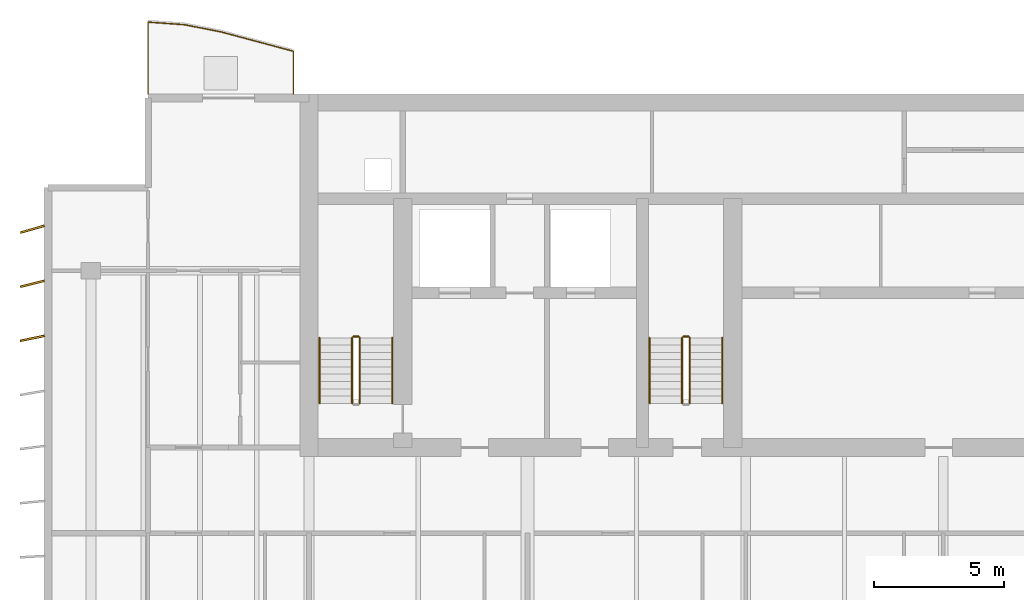
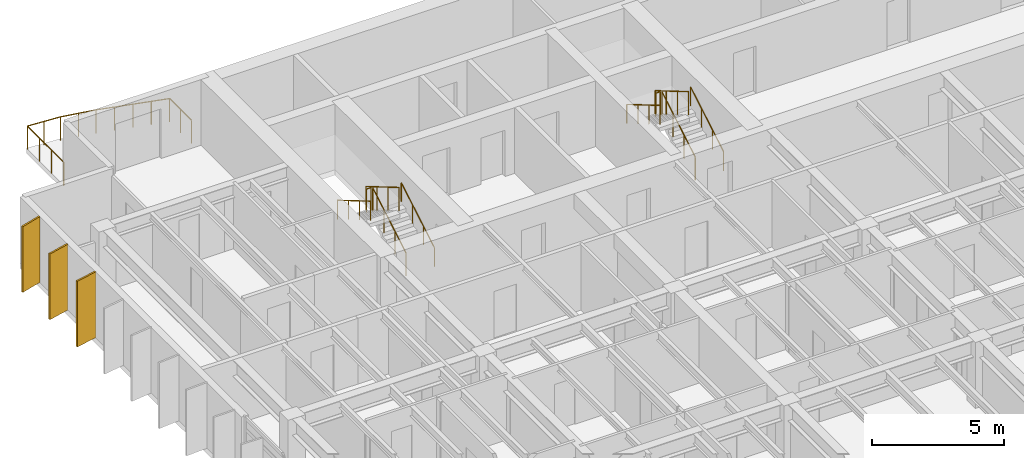
# One storey, part 16 of 17: 11 railings, 3 shading devices.
"""IFC4 building model written with IfcOpenShell, lengths in metres."""

from ifc_helpers import new_model, si_unit, direction, frame, origin, origin_2d, place, context, subcontext, project, spatial, rectangle, circle, extrude, material, material_profile, profile_set, type_object, element, save


model = new_model("IFC4")

# Units and contexts
model_context = context("Model", 3, precision=1e-05, world=origin(), true_north=direction((0.0, 1.0)))
body_context = subcontext(model_context, "Body", "Model", "MODEL_VIEW")
ifc_project = project(units=[si_unit("LENGTHUNIT", "METRE"), si_unit("AREAUNIT", "SQUARE_METRE"), si_unit("VOLUMEUNIT", "CUBIC_METRE"), si_unit("PLANEANGLEUNIT", "RADIAN"), si_unit("MASSUNIT", "GRAM", prefix="KILO")], contexts=[model_context])

# Site, building, storey
site_placement = place(None, origin())
site = spatial("IfcSite", under=ifc_project, at=site_placement, CompositionType="ELEMENT")
building_placement = place(site_placement, origin())
building = spatial("IfcBuilding", under=site, at=building_placement, Name="Caelmar Bay Residences", CompositionType="ELEMENT")
storey_placement = place(building_placement, frame((0.0, 0.0, 246.300048828125)))
storey = spatial("IfcBuildingStorey", under=building, at=storey_placement, Name="L69", CompositionType="ELEMENT", Elevation=246.300048828125)

# Railings
ifc_material_1 = material(Name="Anodised bronze handrail with laminated hurricane glass infill", Category="glass")
railing_type_1 = type_object("IfcRailingType", Name="RL-BAL-1100", PredefinedType="BALUSTRADE", material=ifc_material_1)
railing_1_placement = place(storey_placement, frame((17.699951171875, 50.60009765625, 0.0)))
element("IfcRailing", 1, at=railing_1_placement, inside=storey, type_object=railing_type_1, Name="L69 north_west Balcony Balustrade", PredefinedType="BALUSTRADE", context=body_context, shape_type="SweptSolid", body=[
    extrude(circle(Radius=0.02392578125, at=origin_2d()), frame((0.0, 0.0, 1.076171875), z_axis=(0.0, 1.0, 0.0), x_axis=(-1.0, 0.0, 0.0)), (0.0, 0.0, 1.0), 1.64501953125),
    extrude(circle(Radius=0.02392578125, at=origin_2d()), frame((0.0, 1.64501953125, 1.076171875), z_axis=(-0.965943540406, 0.258752926066, 0.0), x_axis=(-0.258752926066, -0.965943540406, 0.0)), (0.0, 0.0, 1.0), 1.44921875),
    extrude(circle(Radius=0.02392578125, at=origin_2d()), frame((-1.39990234375, 2.02001953125, 1.076171875), z_axis=(-0.965954816498, 0.258710827923, 0.0), x_axis=(-0.258710827923, -0.965954816498, 0.0)), (0.0, 0.0, 1.0), 1.449462890625),
    extrude(circle(Radius=0.02392578125, at=origin_2d()), frame((-2.800048828125, 2.39501953125, 1.076171875), z_axis=(-0.981323886264, 0.192362756917, 0.0), x_axis=(-0.192362756917, -0.981323886264, 0.0)), (0.0, 0.0, 1.0), 1.426513671875),
    extrude(circle(Radius=0.02392578125, at=origin_2d()), frame((-4.199951171875, 2.66943359375, 1.076171875), z_axis=(-0.997428589471, 0.071667348947, 0.0), x_axis=(-0.071667348947, -0.997428589471, 0.0)), (0.0, 0.0, 1.0), 1.403564453125),
    extrude(circle(Radius=0.02392578125, at=origin_2d()), frame((-5.599853515625, 2.77001953125, 1.076171875), z_axis=(0.0, -1.0, 0.0), x_axis=(1.0, 0.0, 0.0)), (0.0, 0.0, 1.0), 2.77001953125),
    extrude(circle(Radius=0.02099609375, at=origin_2d()), origin(), (0.0, 0.0, 1.0), 1.052001953125),
    extrude(circle(Radius=0.02099609375, at=origin_2d()), frame((0.0, 0.822509765625, 0.0)), (0.0, 0.0, 1.0), 1.052001953125),
    extrude(circle(Radius=0.02099609375, at=origin_2d()), frame((0.0, 1.64501953125, 0.0)), (0.0, 0.0, 1.0), 1.052001953125),
    extrude(circle(Radius=0.02099609375, at=origin_2d()), frame((-0.699951171875, 1.83251953125, 0.0)), (0.0, 0.0, 1.0), 1.052001953125),
    extrude(circle(Radius=0.02099609375, at=origin_2d()), frame((-1.39990234375, 2.02001953125, 0.0)), (0.0, 0.0, 1.0), 1.052001953125),
    extrude(circle(Radius=0.02099609375, at=origin_2d()), frame((-2.10009765625, 2.20751953125, 0.0)), (0.0, 0.0, 1.0), 1.052001953125),
    extrude(circle(Radius=0.02099609375, at=origin_2d()), frame((-2.800048828125, 2.39501953125, 0.0)), (0.0, 0.0, 1.0), 1.052001953125),
    extrude(circle(Radius=0.02099609375, at=origin_2d()), frame((-3.5, 2.5322265625, 0.0)), (0.0, 0.0, 1.0), 1.052001953125),
    extrude(circle(Radius=0.02099609375, at=origin_2d()), frame((-4.199951171875, 2.66943359375, 0.0)), (0.0, 0.0, 1.0), 1.052001953125),
    extrude(circle(Radius=0.02099609375, at=origin_2d()), frame((-4.89990234375, 2.7197265625, 0.0)), (0.0, 0.0, 1.0), 1.052001953125),
    extrude(circle(Radius=0.02099609375, at=origin_2d()), frame((-5.599853515625, 2.77001953125, 0.0)), (0.0, 0.0, 1.0), 1.052001953125),
    extrude(circle(Radius=0.02099609375, at=origin_2d()), frame((-5.599853515625, 1.8466796875, 0.0)), (0.0, 0.0, 1.0), 1.052001953125),
    extrude(circle(Radius=0.02099609375, at=origin_2d()), frame((-5.599853515625, 0.92333984375, 0.0)), (0.0, 0.0, 1.0), 1.052001953125),
    extrude(circle(Radius=0.02099609375, at=origin_2d()), frame((-5.599853515625, 0.0, 0.0)), (0.0, 0.0, 1.0), 1.052001953125),
])
ifc_material_2 = material(Name="Painted galvanized steel stair guard 1100 mm", Category="steel")
railing_type_2 = type_object("IfcRailingType", Name="RL-GRD-1100", PredefinedType="GUARDRAIL", material=ifc_material_2)
railing_2_placement = place(storey_placement, frame((20.25, 38.699951171875, 0.1650390625)))
element("IfcRailing", 2, at=railing_2_placement, inside=storey, type_object=railing_type_2, Name="L69 ST1 stair guard 1", PredefinedType="GUARDRAIL", context=body_context, shape_type="SweptSolid", body=[
    extrude(circle(Radius=0.02392578125, at=origin_2d()), frame((0.0, 0.0, 1.076171875), z_axis=(0.0, 0.861560626758, 0.507654692109), x_axis=(-1.0, 0.0, 0.0)), (0.0, 0.0, 1.0), 2.925048828125),
    extrude(circle(Radius=0.02099609375, at=origin_2d()), origin(), (0.0, 0.0, 1.0), 1.052001953125),
    extrude(circle(Radius=0.02099609375, at=origin_2d()), frame((0.0, 0.840087890625, 0.494873046875)), (0.0, 0.0, 1.0), 1.052001953125),
    extrude(circle(Radius=0.02099609375, at=origin_2d()), frame((0.0, 1.679931640625, 0.989990234375)), (0.0, 0.0, 1.0), 1.052001953125),
    extrude(circle(Radius=0.02099609375, at=origin_2d()), frame((0.0, 2.52001953125, 1.48486328125)), (0.0, 0.0, 1.0), 1.052001953125),
])
railing_3_placement = place(storey_placement, frame((20.199951171875, 41.27001953125, 1.64990234375)))
element("IfcRailing", 3, at=railing_3_placement, inside=storey, type_object=railing_type_2, Name="L69 ST1 stair guard 2", PredefinedType="GUARDRAIL", context=body_context, shape_type="SweptSolid", body=[
    extrude(circle(Radius=0.02392578125, at=origin_2d()), frame((0.0, 0.0, 1.076171875), z_axis=(-1.0, 0.0, 0.0), x_axis=(0.0, -1.0, 0.0)), (0.0, 0.0, 1.0), 0.199951171875),
    extrude(circle(Radius=0.02099609375, at=origin_2d()), origin(), (0.0, 0.0, 1.0), 1.052001953125),
    extrude(circle(Radius=0.02099609375, at=origin_2d()), frame((-0.199951171875, 0.0, 0.0)), (0.0, 0.0, 1.0), 1.052001953125),
])
railing_4_placement = place(storey_placement, frame((19.949951171875, 41.219970703125, 1.81494140625)))
element("IfcRailing", 4, at=railing_4_placement, inside=storey, type_object=railing_type_2, Name="L69 ST1 stair guard 3", PredefinedType="GUARDRAIL", context=body_context, shape_type="SweptSolid", body=[
    extrude(circle(Radius=0.02392578125, at=origin_2d()), frame((0.0, 0.0, 1.076171875), z_axis=(0.0, -0.86152411907, 0.507716645641), x_axis=(1.0, 0.0, 0.0)), (0.0, 0.0, 1.0), 2.925048828125),
    extrude(circle(Radius=0.02099609375, at=origin_2d()), origin(), (0.0, 0.0, 1.0), 1.052001953125),
    extrude(circle(Radius=0.02099609375, at=origin_2d()), frame((0.0, -0.840087890625, 0.4951171875)), (0.0, 0.0, 1.0), 1.052001953125),
    extrude(circle(Radius=0.02099609375, at=origin_2d()), frame((0.0, -1.679931640625, 0.989990234375)), (0.0, 0.0, 1.0), 1.052001953125),
    extrude(circle(Radius=0.02099609375, at=origin_2d()), frame((0.0, -2.52001953125, 1.485107421875)), (0.0, 0.0, 1.0), 1.052001953125),
])
railing_5_placement = place(storey_placement, frame((32.949951171875, 38.699951171875, 0.1650390625)))
element("IfcRailing", 5, at=railing_5_placement, inside=storey, type_object=railing_type_2, Name="L69 ST3 stair guard 1", PredefinedType="GUARDRAIL", context=body_context, shape_type="SweptSolid", body=[
    extrude(circle(Radius=0.02392578125, at=origin_2d()), frame((0.0, 0.0, 1.076171875), z_axis=(0.0, 0.861560626758, 0.507654692109), x_axis=(-1.0, 0.0, 0.0)), (0.0, 0.0, 1.0), 2.925048828125),
    extrude(circle(Radius=0.02099609375, at=origin_2d()), origin(), (0.0, 0.0, 1.0), 1.052001953125),
    extrude(circle(Radius=0.02099609375, at=origin_2d()), frame((0.0, 0.840087890625, 0.494873046875)), (0.0, 0.0, 1.0), 1.052001953125),
    extrude(circle(Radius=0.02099609375, at=origin_2d()), frame((0.0, 1.679931640625, 0.989990234375)), (0.0, 0.0, 1.0), 1.052001953125),
    extrude(circle(Radius=0.02099609375, at=origin_2d()), frame((0.0, 2.52001953125, 1.48486328125)), (0.0, 0.0, 1.0), 1.052001953125),
])
railing_6_placement = place(storey_placement, frame((32.89990234375, 41.27001953125, 1.64990234375)))
element("IfcRailing", 6, at=railing_6_placement, inside=storey, type_object=railing_type_2, Name="L69 ST3 stair guard 2", PredefinedType="GUARDRAIL", context=body_context, shape_type="SweptSolid", body=[
    extrude(circle(Radius=0.02392578125, at=origin_2d()), frame((0.0, 0.0, 1.076171875), z_axis=(-1.0, 0.0, 0.0), x_axis=(0.0, -1.0, 0.0)), (0.0, 0.0, 1.0), 0.199951171875),
    extrude(circle(Radius=0.02099609375, at=origin_2d()), origin(), (0.0, 0.0, 1.0), 1.052001953125),
    extrude(circle(Radius=0.02099609375, at=origin_2d()), frame((-0.199951171875, 0.0, 0.0)), (0.0, 0.0, 1.0), 1.052001953125),
])
railing_7_placement = place(storey_placement, frame((32.64990234375, 41.219970703125, 1.81494140625)))
element("IfcRailing", 7, at=railing_7_placement, inside=storey, type_object=railing_type_2, Name="L69 ST3 stair guard 3", PredefinedType="GUARDRAIL", context=body_context, shape_type="SweptSolid", body=[
    extrude(circle(Radius=0.02392578125, at=origin_2d()), frame((0.0, 0.0, 1.076171875), z_axis=(0.0, -0.86152411907, 0.507716645641), x_axis=(1.0, 0.0, 0.0)), (0.0, 0.0, 1.0), 2.925048828125),
    extrude(circle(Radius=0.02099609375, at=origin_2d()), origin(), (0.0, 0.0, 1.0), 1.052001953125),
    extrude(circle(Radius=0.02099609375, at=origin_2d()), frame((0.0, -0.840087890625, 0.4951171875)), (0.0, 0.0, 1.0), 1.052001953125),
    extrude(circle(Radius=0.02099609375, at=origin_2d()), frame((0.0, -1.679931640625, 0.989990234375)), (0.0, 0.0, 1.0), 1.052001953125),
    extrude(circle(Radius=0.02099609375, at=origin_2d()), frame((0.0, -2.52001953125, 1.485107421875)), (0.0, 0.0, 1.0), 1.052001953125),
])
ifc_material_3 = material(Name="Brushed bronze stainless-steel tubular handrail 900 mm", Category="steel")
railing_type_3 = type_object("IfcRailingType", Name="RL-HND-900", PredefinedType="HANDRAIL", material=ifc_material_3)
railing_8_placement = place(storey_placement, frame((21.5, 38.699951171875, 0.1650390625)))
element("IfcRailing", 8, at=railing_8_placement, inside=storey, type_object=railing_type_3, Name="L69 ST1 stair handrail 1", PredefinedType="HANDRAIL", context=body_context, shape_type="SweptSolid", body=[
    extrude(circle(Radius=0.02392578125, at=origin_2d()), frame((0.0, 0.0, 0.8759765625), z_axis=(0.0, 0.861560626758, 0.507654692109), x_axis=(-1.0, 0.0, 0.0)), (0.0, 0.0, 1.0), 2.925048828125),
    extrude(circle(Radius=0.02099609375, at=origin_2d()), origin(), (0.0, 0.0, 1.0), 0.851806640625),
    extrude(circle(Radius=0.02099609375, at=origin_2d()), frame((0.0, 0.840087890625, 0.494873046875)), (0.0, 0.0, 1.0), 0.851806640625),
    extrude(circle(Radius=0.02099609375, at=origin_2d()), frame((0.0, 1.679931640625, 0.989990234375)), (0.0, 0.0, 1.0), 0.851806640625),
    extrude(circle(Radius=0.02099609375, at=origin_2d()), frame((0.0, 2.52001953125, 1.48486328125)), (0.0, 0.0, 1.0), 0.851806640625),
])
railing_9_placement = place(storey_placement, frame((18.699951171875, 41.219970703125, 1.81494140625)))
element("IfcRailing", 9, at=railing_9_placement, inside=storey, type_object=railing_type_3, Name="L69 ST1 stair handrail 2", PredefinedType="HANDRAIL", context=body_context, shape_type="SweptSolid", body=[
    extrude(circle(Radius=0.02392578125, at=origin_2d()), frame((0.0, 0.0, 0.8759765625), z_axis=(0.0, -0.86152411907, 0.507716645641), x_axis=(1.0, 0.0, 0.0)), (0.0, 0.0, 1.0), 2.925048828125),
    extrude(circle(Radius=0.02099609375, at=origin_2d()), origin(), (0.0, 0.0, 1.0), 0.851806640625),
    extrude(circle(Radius=0.02099609375, at=origin_2d()), frame((0.0, -0.840087890625, 0.4951171875)), (0.0, 0.0, 1.0), 0.851806640625),
    extrude(circle(Radius=0.02099609375, at=origin_2d()), frame((0.0, -1.679931640625, 0.989990234375)), (0.0, 0.0, 1.0), 0.851806640625),
    extrude(circle(Radius=0.02099609375, at=origin_2d()), frame((0.0, -2.52001953125, 1.485107421875)), (0.0, 0.0, 1.0), 0.851806640625),
])
railing_10_placement = place(storey_placement, frame((34.199951171875, 38.699951171875, 0.1650390625)))
element("IfcRailing", 10, at=railing_10_placement, inside=storey, type_object=railing_type_3, Name="L69 ST3 stair handrail 1", PredefinedType="HANDRAIL", context=body_context, shape_type="SweptSolid", body=[
    extrude(circle(Radius=0.02392578125, at=origin_2d()), frame((0.0, 0.0, 0.8759765625), z_axis=(0.0, 0.861560626758, 0.507654692109), x_axis=(-1.0, 0.0, 0.0)), (0.0, 0.0, 1.0), 2.925048828125),
    extrude(circle(Radius=0.02099609375, at=origin_2d()), origin(), (0.0, 0.0, 1.0), 0.851806640625),
    extrude(circle(Radius=0.02099609375, at=origin_2d()), frame((0.0, 0.840087890625, 0.494873046875)), (0.0, 0.0, 1.0), 0.851806640625),
    extrude(circle(Radius=0.02099609375, at=origin_2d()), frame((0.0, 1.679931640625, 0.989990234375)), (0.0, 0.0, 1.0), 0.851806640625),
    extrude(circle(Radius=0.02099609375, at=origin_2d()), frame((0.0, 2.52001953125, 1.48486328125)), (0.0, 0.0, 1.0), 0.851806640625),
])
railing_11_placement = place(storey_placement, frame((31.39990234375, 41.219970703125, 1.81494140625)))
element("IfcRailing", 11, at=railing_11_placement, inside=storey, type_object=railing_type_3, Name="L69 ST3 stair handrail 2", PredefinedType="HANDRAIL", context=body_context, shape_type="SweptSolid", body=[
    extrude(circle(Radius=0.02392578125, at=origin_2d()), frame((0.0, 0.0, 0.8759765625), z_axis=(0.0, -0.86152411907, 0.507716645641), x_axis=(1.0, 0.0, 0.0)), (0.0, 0.0, 1.0), 2.925048828125),
    extrude(circle(Radius=0.02099609375, at=origin_2d()), origin(), (0.0, 0.0, 1.0), 0.851806640625),
    extrude(circle(Radius=0.02099609375, at=origin_2d()), frame((0.0, -0.840087890625, 0.4951171875)), (0.0, 0.0, 1.0), 0.851806640625),
    extrude(circle(Radius=0.02099609375, at=origin_2d()), frame((0.0, -1.679931640625, 0.989990234375)), (0.0, 0.0, 1.0), 0.851806640625),
    extrude(circle(Radius=0.02099609375, at=origin_2d()), frame((0.0, -2.52001953125, 1.485107421875)), (0.0, 0.0, 1.0), 0.851806640625),
])

# Shading devices
ifc_material_4 = material(Name="Anodised architectural bronze aluminium 6063-T6", Category="aluminium")
ifc_material_profile = material_profile(ifc_material_4, rectangle(XDim=0.074951171875, YDim=0.949951171875, at=origin_2d()), Name="BRONZE-FIN-75X950")
ifc_profile_set = profile_set([ifc_material_profile], Name="Anodised architectural bronze aluminium 6063-T6")
shading_device_type = type_object("IfcShadingDeviceType", Name="SHD-FIN-950", PredefinedType="USERDEFINED", material=ifc_profile_set)
for number, where, z_axis, x_axis, name in (
    (12, (7.64990234375, 41.199951171875, 0.0), (0.0, 0.0, 1.0), (-0.2032999874, 0.979116497217, 0.0), "L69 West Bronze Solar Fin 14"),
    (13, (7.64990234375, 43.300048828125, 0.0), (0.0, 0.0, 1.0), (-0.239719743609, 0.970842131618, 0.0), "L69 West Bronze Solar Fin 15"),
    (14, (7.64990234375, 45.39990234375, 0.0), (0.0, 0.0, 1.0), (-0.275637355817, 0.961261695938, 0.0), "L69 West Bronze Solar Fin 16"),
):
    element("IfcShadingDevice", number, at=place(storey_placement, frame(where, z_axis=z_axis, x_axis=x_axis)), inside=storey, type_object=shading_device_type, Name=name, ObjectType="FIN", PredefinedType="USERDEFINED", context=body_context, shape_type="SweptSolid", body=[
        extrude(rectangle(XDim=0.074951171875, YDim=0.949951171875, at=origin_2d()), origin(), (0.0, 0.0, 1.0), 3.050048828125),
    ])

save(model, "model.ifc")
